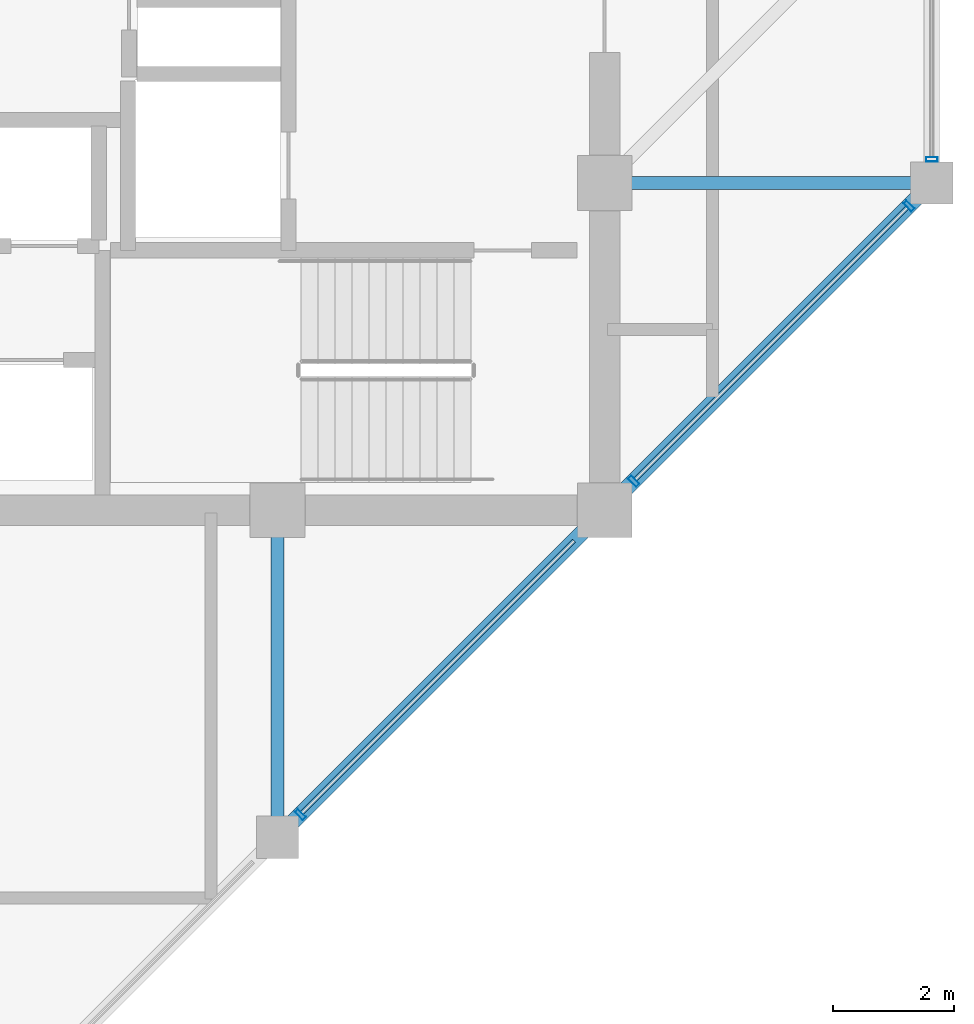
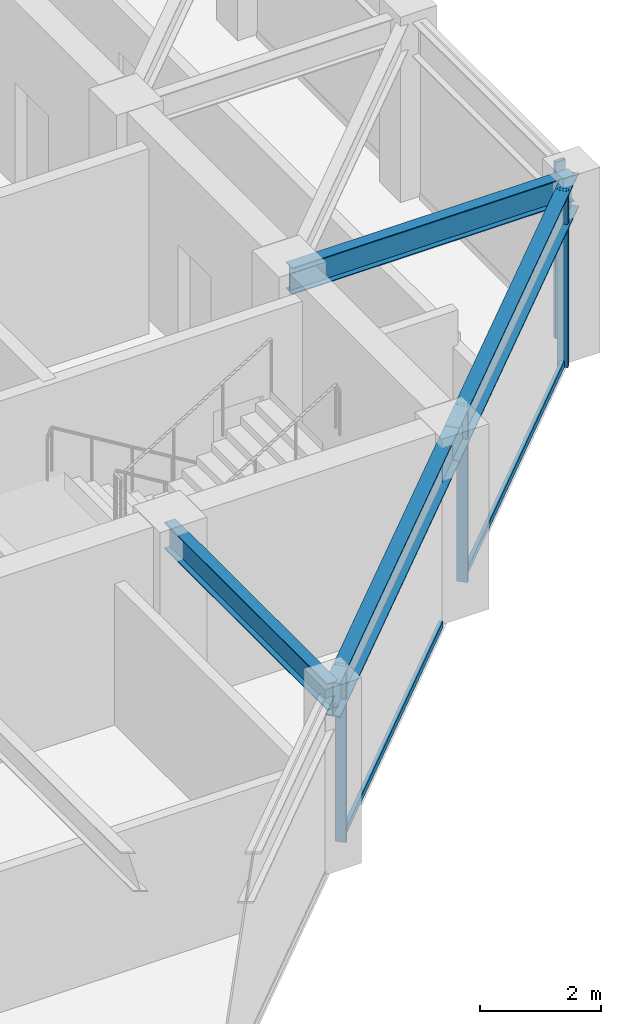
# One storey, part 12 of 30: 6 members, 4 beams, 2 elements without a shape of their own.
"""IFC4 building model written with IfcOpenShell, lengths in metres."""

from ifc_helpers import new_model, si_unit, direction, frame, origin, origin_2d, place, context, subcontext, project, spatial, hollow_rectangle, i_section, extrude, material, layer, layer_set, material_profile, profile_set, type_object, element, aggregate, save


model = new_model("IFC4")

# Units and contexts
model_context = context("Model", 3, precision=1e-05, world=origin(), true_north=direction((0.0, 1.0)))
body_context = subcontext(model_context, "Body", "Model", "MODEL_VIEW")
ifc_project = project(units=[si_unit("LENGTHUNIT", "METRE"), si_unit("AREAUNIT", "SQUARE_METRE"), si_unit("VOLUMEUNIT", "CUBIC_METRE"), si_unit("PLANEANGLEUNIT", "RADIAN"), si_unit("MASSUNIT", "GRAM", prefix="KILO")], contexts=[model_context])

# Site, building, storey
site_placement = place(None, origin())
site = spatial("IfcSite", under=ifc_project, at=site_placement, CompositionType="ELEMENT")
building_placement = place(site_placement, origin())
building = spatial("IfcBuilding", under=site, at=building_placement, Name="Surkhivell Harbour Commons", CompositionType="ELEMENT")
storey_placement = place(building_placement, frame((0.0, 0.0, 296.25)))
storey = spatial("IfcBuildingStorey", under=building, at=storey_placement, Name="L77", CompositionType="ELEMENT", Elevation=296.25)

# Beams
ifc_material_1 = material(Name="Steel S355", Category="steel")
ifc_material_profile_1 = material_profile(ifc_material_1, i_section(OverallWidth=0.2099609375, OverallDepth=0.537109375, WebThickness=0.0107421875, FlangeThickness=0.017333984375, at=origin_2d()), Name="UB533x210x101")
ifc_profile_set_1 = profile_set([ifc_material_profile_1], Name="Steel S355")
beam_type_1 = type_object("IfcBeamType", Name="BM-GRD-533B", PredefinedType="BEAM", material=ifc_profile_set_1)
for number, where, z_axis, x_axis, name in (
    (1, (5.39990234375, -16.199951171875, 3.301513671875), (0.0, 1.0, 0.0), (-1.0, 0.0, 0.0), "L77 Floor Girder (5.4,-16.2)"),
    (2, (10.800048828125, -5.39990234375, 3.301513671875), (1.0, 0.0, 0.0), (0.0, 1.0, 0.0), "L77 Floor Girder (10.8,-5.4)"),
):
    element("IfcBeam", number, at=place(storey_placement, frame(where, z_axis=z_axis, x_axis=x_axis)), inside=storey, type_object=beam_type_1, Name=name, PredefinedType="BEAM", context=body_context, shape_type="SweptSolid", body=[
        extrude(i_section(OverallWidth=0.2099609375, OverallDepth=0.537109375, WebThickness=0.0107421875, FlangeThickness=0.017333984375, at=origin_2d()), origin(), (0.0, 0.0, 1.0), 5.39990234375),
    ])
ifc_material_profile_2 = material_profile(ifc_material_1, i_section(OverallWidth=0.256103515625, OverallDepth=0.693115234375, WebThickness=0.014404296875, FlangeThickness=0.023681640625, at=origin_2d()), Name="UB686x254x170")
ifc_profile_set_2 = profile_set([ifc_material_profile_2], Name="Steel S355")
beam_type_2 = type_object("IfcBeamType", Name="BM-SPN-686", PredefinedType="SPANDREL", material=ifc_profile_set_2)
for number, where, z_axis, x_axis, name in (
    (3, (5.39990234375, -16.199951171875, 3.223388671875), (0.707122765516, 0.707090796496, 0.0), (-0.707090796496, 0.707122765516, 0.0), "L77 Tube Spandrel (5.4,-16.2)"),
    (4, (10.800048828125, -10.800048828125, 3.223388671875), (0.707090796496, 0.707122765516, 0.0), (-0.707122765516, 0.707090796496, 0.0), "L77 Tube Spandrel (10.8,-10.8)"),
):
    element("IfcBeam", number, at=place(storey_placement, frame(where, z_axis=z_axis, x_axis=x_axis)), inside=storey, type_object=beam_type_2, Name=name, PredefinedType="SPANDREL", context=body_context, shape_type="SweptSolid", body=[
        extrude(i_section(OverallWidth=0.256103515625, OverallDepth=0.693115234375, WebThickness=0.014404296875, FlangeThickness=0.023681640625, at=origin_2d()), origin(), (0.0, 0.0, 1.0), 7.63671875),
    ])

# Curtain wall, members
ifc_material_2 = material(Name="Anodised pale-metal aluminium and insulated glazing", Category="aluminium")
ifc_layer = layer(ifc_material_2, 0.175048828125)
ifc_layer_set = layer_set([ifc_layer], Name="Anodised pale-metal aluminium and insulated glazing")
curtain_wall_type = type_object("IfcCurtainWallType", Name="CW-SYS-Z4", PredefinedType="NOTDEFINED", material=ifc_layer_set)
curtain_wall_1_placement = place(storey_placement, origin())
curtain_wall_1 = element("IfcCurtainWall", 5, at=curtain_wall_1_placement, inside=storey, type_object=curtain_wall_type, Name="L77 Curtain Wall CW-L77-E01", PredefinedType="NOTDEFINED")
ifc_material_3 = material(Name="Anodised pale-metal aluminium alloy 6063-T6", Category="aluminium")
ifc_material_profile_3 = material_profile(ifc_material_3, hollow_rectangle(XDim=0.074951171875, YDim=0.18994140625, WallThickness=0.00390625, at=origin_2d()), Name="ALU-MULL-75x190")
ifc_profile_set_3 = profile_set([ifc_material_profile_3], Name="Anodised pale-metal aluminium alloy 6063-T6")
member_type_1 = type_object("IfcMemberType", Name="CWM-190", PredefinedType="MULLION", material=ifc_profile_set_3)
member_1_placement = place(storey_placement, frame((5.778076171875, -15.82177734375, 0.0), z_axis=(0.0, 0.0, 1.0), x_axis=(0.707106781187, 0.707106781187, 0.0)))
member_1 = element("IfcMember", 6, at=member_1_placement, type_object=member_type_1, Name="CW-Z4 mullion 2", PredefinedType="MULLION", context=body_context, shape_type="SweptSolid", body=[
    extrude(hollow_rectangle(XDim=0.074951171875, YDim=0.18994140625, WallThickness=0.00390625, at=origin_2d()), origin(), (0.0, 0.0, 1.0), 3.570068359375),
])
member_2_placement = place(storey_placement, frame((11.278076171875, -10.32177734375, 0.0), z_axis=(0.0, 0.0, 1.0), x_axis=(0.707106781187, 0.707106781187, 0.0)))
member_2 = element("IfcMember", 7, at=member_2_placement, type_object=member_type_1, Name="CW-Z4 mullion 3", PredefinedType="MULLION", context=body_context, shape_type="SweptSolid", body=[
    extrude(hollow_rectangle(XDim=0.074951171875, YDim=0.18994140625, WallThickness=0.00390625, at=origin_2d()), origin(), (0.0, 0.0, 1.0), 3.570068359375),
])
member_3_placement = place(storey_placement, frame((15.82177734375, -5.778076171875, 0.0), z_axis=(0.0, 0.0, 1.0), x_axis=(0.707106781187, 0.707106781187, 0.0)))
member_3 = element("IfcMember", 8, at=member_3_placement, type_object=member_type_1, Name="CW-Z4 mullion 4", PredefinedType="MULLION", context=body_context, shape_type="SweptSolid", body=[
    extrude(hollow_rectangle(XDim=0.074951171875, YDim=0.18994140625, WallThickness=0.00390625, at=origin_2d()), origin(), (0.0, 0.0, 1.0), 3.570068359375),
])

# Curtain wall, member
curtain_wall_2_placement = place(storey_placement, origin())
curtain_wall_2 = element("IfcCurtainWall", 9, at=curtain_wall_2_placement, inside=storey, type_object=curtain_wall_type, Name="L77 Curtain Wall CW-L77-E02", PredefinedType="NOTDEFINED")
member_4_placement = place(storey_placement, frame((16.199951171875, -5.010498046875, 0.0), z_axis=(0.0, 0.0, 1.0), x_axis=(0.0, 1.0, 0.0)))
member_4 = element("IfcMember", 10, at=member_4_placement, type_object=member_type_1, Name="CW-Z4 mullion 1", PredefinedType="MULLION", context=body_context, shape_type="SweptSolid", body=[
    extrude(hollow_rectangle(XDim=0.074951171875, YDim=0.18994140625, WallThickness=0.00390625, at=origin_2d()), origin(), (0.0, 0.0, 1.0), 3.570068359375),
])
aggregate(curtain_wall_2, [member_4])

# Member
ifc_material_4 = material(Name="Champagne anodised aluminium alloy 6063-T6", Category="aluminium")
ifc_material_profile_4 = material_profile(ifc_material_4, hollow_rectangle(XDim=0.070068359375, YDim=0.1298828125, WallThickness=0.00341796875, at=origin_2d()), Name="ALU-TRAN-70x130")
ifc_profile_set_4 = profile_set([ifc_material_profile_4], Name="Champagne anodised aluminium alloy 6063-T6")
member_type_2 = type_object("IfcMemberType", Name="CWT-130", PredefinedType="USERDEFINED", material=ifc_profile_set_4)
member_5_placement = place(storey_placement, frame((5.8046875, -15.79541015625, 0.06494140625), z_axis=(0.707106781187, 0.707106781187, 0.0), x_axis=(-0.707106781187, 0.707106781187, 0.0)))
member_5 = element("IfcMember", 11, at=member_5_placement, type_object=member_type_2, Name="CW-Z4 transom 2.1", ObjectType="TRANSOM", PredefinedType="USERDEFINED", context=body_context, shape_type="SweptSolid", body=[
    extrude(hollow_rectangle(XDim=0.070068359375, YDim=0.1298828125, WallThickness=0.00341796875, at=origin_2d()), origin(), (0.0, 0.0, 1.0), 6.350830078125),
])

member_6_placement = place(storey_placement, frame((11.3046875, -10.29541015625, 0.06494140625), z_axis=(0.707106781187, 0.707106781187, 0.0), x_axis=(-0.707106781187, 0.707106781187, 0.0)))
member_6 = element("IfcMember", 12, at=member_6_placement, type_object=member_type_2, Name="CW-Z4 transom 3.1", ObjectType="TRANSOM", PredefinedType="USERDEFINED", context=body_context, shape_type="SweptSolid", body=[
    extrude(hollow_rectangle(XDim=0.070068359375, YDim=0.1298828125, WallThickness=0.00341796875, at=origin_2d()), origin(), (0.0, 0.0, 1.0), 6.350830078125),
])

aggregate(curtain_wall_1, [member_1, member_5, member_2, member_3, member_6])

save(model, "model.ifc")
